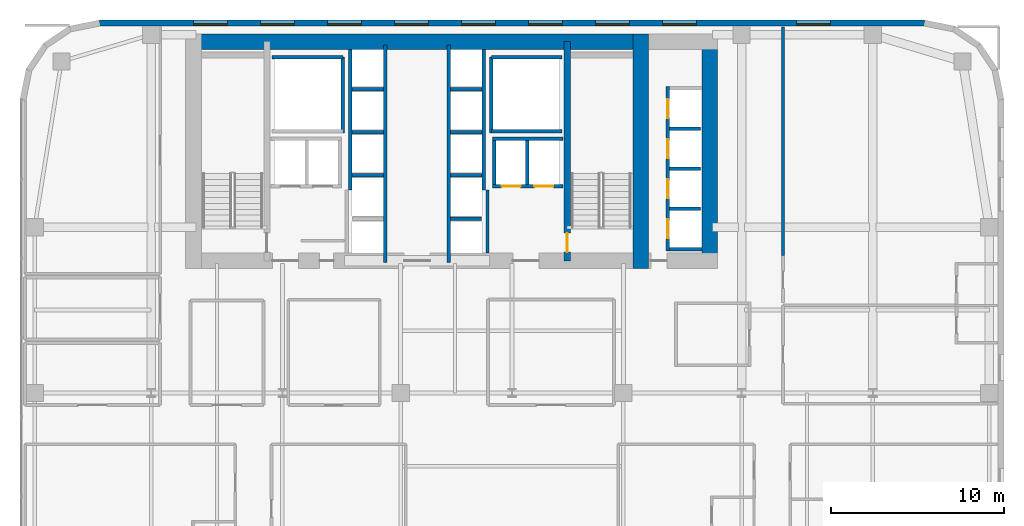
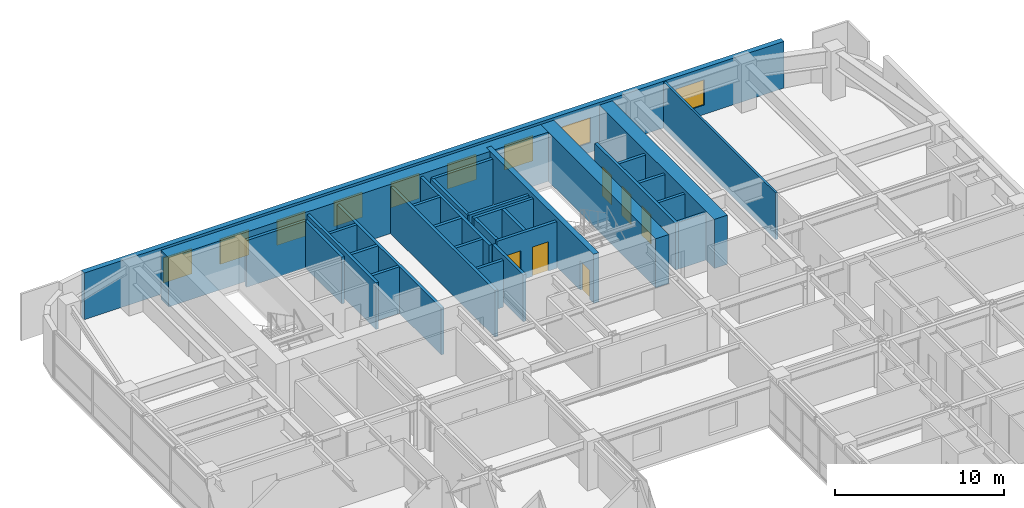
# One storey, part 28 of 30: 32 walls, 9 windows, 7 doors, 16 openings.
"""IFC4 building model written with IfcOpenShell, lengths in metres."""

from ifc_helpers import new_model, si_unit, direction, frame, frame_2d, origin, place, context, subcontext, project, spatial, rectangle, extrude, source, transform, mapped, material, layer, layer_set, type_object, type_shapes, element, fill, save


model = new_model("IFC4")

# Units and contexts
model_context = context("Model", 3, precision=1e-05, world=origin(), true_north=direction((0.0, 1.0)))
body_context = subcontext(model_context, "Body", "Model", "MODEL_VIEW")
ifc_project = project(units=[si_unit("LENGTHUNIT", "METRE"), si_unit("AREAUNIT", "SQUARE_METRE"), si_unit("VOLUMEUNIT", "CUBIC_METRE"), si_unit("PLANEANGLEUNIT", "RADIAN"), si_unit("MASSUNIT", "GRAM", prefix="KILO")], contexts=[model_context])

# Site, building, storey
site_placement = place(None, origin())
site = spatial("IfcSite", under=ifc_project, at=site_placement, CompositionType="ELEMENT")
building_placement = place(site_placement, origin())
building = spatial("IfcBuilding", under=site, at=building_placement, Name="Tolvann Quenvar Hotel", CompositionType="ELEMENT")
storey_placement = place(building_placement, frame((0.0, 0.0, 56.85009765625)))
storey = spatial("IfcBuildingStorey", under=building, at=storey_placement, Name="L13", CompositionType="ELEMENT", Elevation=56.85009765625)

# Walls
ifc_material_1 = material(Name="Concrete S80 (80 MPa)", Category="concrete")
ifc_layer_1 = layer(ifc_material_1, 0.89990234375)
ifc_layer_set_1 = layer_set([ifc_layer_1], Name="Concrete S80 (80 MPa)")
wall_type_1 = type_object("IfcWallType", Name="WALL_CORE_900", PredefinedType="SHEAR", material=ifc_layer_set_1)
wall_1_placement = place(storey_placement, frame((9.60009765625, 44.75, 0.0), z_axis=(0.0, 0.0, 1.0), x_axis=(1.0, 0.0, 0.0)))
element("IfcWall", 1, at=wall_1_placement, inside=storey, type_object=wall_type_1, Name="Rear Core N Shear Wall (L13)", PredefinedType="SHEAR", context=body_context, shape_type="SweptSolid", body=[
    extrude(rectangle(XDim=26.7998046875, YDim=0.89990234375, at=frame_2d((13.39990234375, 0.0))), origin(), (0.0, 0.0, 1.0), 3.5498046875),
])
for number, where, z_axis, x_axis, name in (
    (2, (35.949951171875, 31.60009765625, 0.0), (0.0, 0.0, 1.0), (0.0, 1.0, 0.0), "Rear Core E Shear Wall (L13)"),
    (3, (39.949951171875, 31.60009765625, 0.0), (0.0, 0.0, 1.0), (0.0, 1.0, 0.0), "Core East Annex Shear Wall ANN-E (L13)"),
):
    element("IfcWall", number, at=place(storey_placement, frame(where, z_axis=z_axis, x_axis=x_axis)), inside=storey, type_object=wall_type_1, Name=name, PredefinedType="SHEAR", context=body_context, shape_type="SweptSolid", body=[
        extrude(rectangle(XDim=13.599853515625, YDim=0.89990234375, at=frame_2d((6.7998046875, 0.0))), origin(), (0.0, 0.0, 1.0), 3.5498046875),
    ])

# Wall, opening, door
ifc_material_2 = material(Name="Concrete S65 (65 MPa)", Category="concrete")
ifc_layer_2 = layer(ifc_material_2, 0.35009765625)
ifc_layer_set_2 = layer_set([ifc_layer_2], Name="Concrete S65 (65 MPa)")
wall_type_2 = type_object("IfcWallType", Name="WALL_CORE_INT_350", PredefinedType="SHEAR", material=ifc_layer_set_2)
wall_2_placement = place(storey_placement, frame((31.699951171875, 32.050048828125, 0.0), z_axis=(0.0, 0.0, 1.0), x_axis=(0.0, 1.0, 0.0)))
wall_2 = element("IfcWall", 4, at=wall_2_placement, inside=storey, type_object=wall_type_2, Name="Core Internal Web Shear Wall WEB-E (L13)", PredefinedType="SHEAR", context=body_context, shape_type="SweptSolid", body=[
    extrude(rectangle(XDim=12.699951171875, YDim=0.35009765625, at=frame_2d((6.35009765625, 0.0))), origin(), (0.0, 0.0, 1.0), 3.5498046875),
])
opening_1_placement = place(wall_2_placement, frame((1.60009765625, 0.0, 0.0), z_axis=(0.0, 0.0, 1.0), x_axis=(-1.0, 0.0, 0.0)))
opening_1 = element("IfcOpeningElement", 5, at=opening_1_placement, cuts=wall_2, Name="Opening FD-120", PredefinedType="OPENING", context=body_context, shape_type="SweptSolid", body=[
    extrude(rectangle(XDim=1.10009765625, YDim=2.1201171875, at=frame_2d((0.550048828125, 1.06005859375))), frame((0.0, 0.18505859375, 0.0), z_axis=(0.0, -1.0, 0.0), x_axis=(1.0, 0.0, 0.0)), (0.0, 0.0, 1.0), 0.3701171875),
])
ifc_material_3 = material(Name="Pressed galvanised steel fire-rated door set", Category="steel")
door_type_1 = type_object("IfcDoorType", Name="DOOR_FIRE_STAIR_1100", OperationType="NOTDEFINED", PredefinedType="DOOR", material=ifc_material_3)
shared_shape_1 = source(origin(), body_context, "Body", "SweptSolid", [
    extrude(rectangle(XDim=1.10009765625, YDim=2.1201171875, at=frame_2d((0.550048828125, 1.06005859375))), frame((0.0, 0.02490234375, 0.0), z_axis=(0.0, -1.0, 0.0), x_axis=(1.0, 0.0, 0.0)), (0.0, 0.0, 1.0), 0.050048828125),
])
type_shapes(door_type_1, [shared_shape_1])
door_1_placement = place(opening_1_placement, origin())
door_1 = element("IfcDoor", 6, at=door_1_placement, inside=storey, type_object=door_type_1, Name="Exit Stair ST-C2 Fire Door (L13)", OperationType="SINGLE_SWING_RIGHT", OverallHeight=2.1201171875, OverallWidth=1.10009765625, PredefinedType="DOOR", context=body_context, shape_type="MappedRepresentation", body=[
    mapped(shared_shape_1, transform((0.0, 0.0, 0.0), x_axis=(1.0, 0.0, 0.0), y_axis=(0.0, 1.0, 0.0), z_axis=(0.0, 0.0, 1.0), scale=1.0)),
])
fill(opening_1, door_1)

# Wall, openings, windows
ifc_material_4 = material(Name="Kiln-fired red and buff architectural clay brickwork and terracotta masonry", Category="masonry")
ifc_layer_3 = layer(ifc_material_4, 0.35009765625)
ifc_layer_set_3 = layer_set([ifc_layer_3], Name="Kiln-fired red and buff architectural clay brickwork and terracotta masonry")
wall_type_3 = type_object("IfcWallType", Name="WALL_EXT_BRICK_350", PredefinedType="SOLIDWALL", material=ifc_layer_set_3)
wall_3_placement = place(storey_placement, frame((52.3828125, 45.824951171875, 0.0), z_axis=(0.0, 0.0, 1.0), x_axis=(-1.0, 0.0, 0.0)))
wall_3 = element("IfcWall", 7, at=wall_3_placement, inside=storey, type_object=wall_type_3, Name="Exterior Chicago Brick Wall L13-E18", PredefinedType="SOLIDWALL", context=body_context, shape_type="SweptSolid", body=[
    extrude(rectangle(XDim=47.765625, YDim=0.35009765625, at=frame_2d((23.8828125, 0.0))), origin(), (0.0, 0.0, 1.0), 3.369873046875),
])
opening_2_placement = place(wall_3_placement, frame((5.446044921875, 0.0, 0.679931640625)))
opening_2 = element("IfcOpeningElement", 8, at=opening_2_placement, cuts=wall_3, Name="Opening W-10", PredefinedType="OPENING", context=body_context, shape_type="SweptSolid", body=[
    extrude(rectangle(XDim=1.949951171875, YDim=1.820068359375, at=frame_2d((0.97509765625, 0.91015625))), frame((0.0, 0.18505859375, 0.0), z_axis=(0.0, -1.0, 0.0), x_axis=(1.0, 0.0, 0.0)), (0.0, 0.0, 1.0), 0.3701171875),
])
opening_3_placement = place(wall_3_placement, frame((13.20703125, 0.0, 0.679931640625)))
opening_3 = element("IfcOpeningElement", 9, at=opening_3_placement, cuts=wall_3, Name="Opening W-10", PredefinedType="OPENING", context=body_context, shape_type="SweptSolid", body=[
    extrude(rectangle(XDim=1.949951171875, YDim=1.820068359375, at=frame_2d((0.97509765625, 0.91015625))), frame((0.0, 0.18505859375, 0.0), z_axis=(0.0, -1.0, 0.0), x_axis=(1.0, 0.0, 0.0)), (0.0, 0.0, 1.0), 0.3701171875),
])
opening_4_placement = place(wall_3_placement, frame((17.0869140625, 0.0, 0.679931640625)))
opening_4 = element("IfcOpeningElement", 10, at=opening_4_placement, cuts=wall_3, Name="Opening W-10", PredefinedType="OPENING", context=body_context, shape_type="SweptSolid", body=[
    extrude(rectangle(XDim=1.949951171875, YDim=1.820068359375, at=frame_2d((0.97509765625, 0.91015625))), frame((0.0, 0.18505859375, 0.0), z_axis=(0.0, -1.0, 0.0), x_axis=(1.0, 0.0, 0.0)), (0.0, 0.0, 1.0), 0.3701171875),
])
opening_5_placement = place(wall_3_placement, frame((20.968017578125, 0.0, 0.679931640625)))
opening_5 = element("IfcOpeningElement", 11, at=opening_5_placement, cuts=wall_3, Name="Opening W-10", PredefinedType="OPENING", context=body_context, shape_type="SweptSolid", body=[
    extrude(rectangle(XDim=1.949951171875, YDim=1.820068359375, at=frame_2d((0.97509765625, 0.91015625))), frame((0.0, 0.18505859375, 0.0), z_axis=(0.0, -1.0, 0.0), x_axis=(1.0, 0.0, 0.0)), (0.0, 0.0, 1.0), 0.3701171875),
])
opening_6_placement = place(wall_3_placement, frame((24.847900390625, 0.0, 0.679931640625)))
opening_6 = element("IfcOpeningElement", 12, at=opening_6_placement, cuts=wall_3, Name="Opening W-10", PredefinedType="OPENING", context=body_context, shape_type="SweptSolid", body=[
    extrude(rectangle(XDim=1.949951171875, YDim=1.820068359375, at=frame_2d((0.97509765625, 0.91015625))), frame((0.0, 0.18505859375, 0.0), z_axis=(0.0, -1.0, 0.0), x_axis=(1.0, 0.0, 0.0)), (0.0, 0.0, 1.0), 0.3701171875),
])
opening_7_placement = place(wall_3_placement, frame((28.72900390625, 0.0, 0.679931640625)))
opening_7 = element("IfcOpeningElement", 13, at=opening_7_placement, cuts=wall_3, Name="Opening W-10", PredefinedType="OPENING", context=body_context, shape_type="SweptSolid", body=[
    extrude(rectangle(XDim=1.949951171875, YDim=1.820068359375, at=frame_2d((0.97509765625, 0.91015625))), frame((0.0, 0.18505859375, 0.0), z_axis=(0.0, -1.0, 0.0), x_axis=(1.0, 0.0, 0.0)), (0.0, 0.0, 1.0), 0.3701171875),
])
opening_8_placement = place(wall_3_placement, frame((32.60888671875, 0.0, 0.679931640625)))
opening_8 = element("IfcOpeningElement", 14, at=opening_8_placement, cuts=wall_3, Name="Opening W-10", PredefinedType="OPENING", context=body_context, shape_type="SweptSolid", body=[
    extrude(rectangle(XDim=1.949951171875, YDim=1.820068359375, at=frame_2d((0.97509765625, 0.91015625))), frame((0.0, 0.18505859375, 0.0), z_axis=(0.0, -1.0, 0.0), x_axis=(1.0, 0.0, 0.0)), (0.0, 0.0, 1.0), 0.3701171875),
])
opening_9_placement = place(wall_3_placement, frame((36.489013671875, 0.0, 0.679931640625)))
opening_9 = element("IfcOpeningElement", 15, at=opening_9_placement, cuts=wall_3, Name="Opening W-10", PredefinedType="OPENING", context=body_context, shape_type="SweptSolid", body=[
    extrude(rectangle(XDim=1.949951171875, YDim=1.820068359375, at=frame_2d((0.97509765625, 0.91015625))), frame((0.0, 0.18505859375, 0.0), z_axis=(0.0, -1.0, 0.0), x_axis=(1.0, 0.0, 0.0)), (0.0, 0.0, 1.0), 0.3701171875),
])
opening_10_placement = place(wall_3_placement, frame((40.3701171875, 0.0, 0.679931640625)))
opening_10 = element("IfcOpeningElement", 16, at=opening_10_placement, cuts=wall_3, Name="Opening W-10", PredefinedType="OPENING", context=body_context, shape_type="SweptSolid", body=[
    extrude(rectangle(XDim=1.949951171875, YDim=1.820068359375, at=frame_2d((0.97509765625, 0.91015625))), frame((0.0, 0.18505859375, 0.0), z_axis=(0.0, -1.0, 0.0), x_axis=(1.0, 0.0, 0.0)), (0.0, 0.0, 1.0), 0.3701171875),
])
ifc_material_5 = material(Name="Thermally broken bronze-anodised aluminium frame with double low-E glazing", Category="aluminium")
window_type = type_object("IfcWindowType", Name="WIN_CLB_1950x1850", PartitioningType="DOUBLE_PANEL_VERTICAL", PredefinedType="WINDOW", material=ifc_material_5)
shared_shape_2 = source(origin(), body_context, "Body", "SweptSolid", [
    extrude(rectangle(XDim=1.949951171875, YDim=1.820068359375, at=frame_2d((0.97509765625, 0.91015625))), frame((0.0, 0.090087890625, 0.0), z_axis=(0.0, -1.0, 0.0), x_axis=(1.0, 0.0, 0.0)), (0.0, 0.0, 1.0), 0.06005859375),
])
type_shapes(window_type, [shared_shape_2])
window_1_placement = place(opening_2_placement, origin())
window_1 = element("IfcWindow", 17, at=window_1_placement, inside=storey, type_object=window_type, Name="Chicago Window W-10 (EW-L13-E18-W01)", OverallHeight=1.820068359375, OverallWidth=1.949951171875, PartitioningType="DOUBLE_PANEL_VERTICAL", PredefinedType="WINDOW", context=body_context, shape_type="MappedRepresentation", body=[
    mapped(shared_shape_2, transform((0.0, 0.0, 0.0), x_axis=(1.0, 0.0, 0.0), y_axis=(0.0, 1.0, 0.0), z_axis=(0.0, 0.0, 1.0), scale=1.0)),
])
fill(opening_2, window_1)
window_2_placement = place(opening_3_placement, origin())
window_2 = element("IfcWindow", 18, at=window_2_placement, inside=storey, type_object=window_type, Name="Chicago Window W-10 (EW-L13-E18-W02)", OverallHeight=1.820068359375, OverallWidth=1.949951171875, PartitioningType="DOUBLE_PANEL_VERTICAL", PredefinedType="WINDOW", context=body_context, shape_type="MappedRepresentation", body=[
    mapped(shared_shape_2, transform((0.0, 0.0, 0.0), x_axis=(1.0, 0.0, 0.0), y_axis=(0.0, 1.0, 0.0), z_axis=(0.0, 0.0, 1.0), scale=1.0)),
])
fill(opening_3, window_2)
window_3_placement = place(opening_4_placement, origin())
window_3 = element("IfcWindow", 19, at=window_3_placement, inside=storey, type_object=window_type, Name="Chicago Window W-10 (EW-L13-E18-W03)", OverallHeight=1.820068359375, OverallWidth=1.949951171875, PartitioningType="DOUBLE_PANEL_VERTICAL", PredefinedType="WINDOW", context=body_context, shape_type="MappedRepresentation", body=[
    mapped(shared_shape_2, transform((0.0, 0.0, 0.0), x_axis=(1.0, 0.0, 0.0), y_axis=(0.0, 1.0, 0.0), z_axis=(0.0, 0.0, 1.0), scale=1.0)),
])
fill(opening_4, window_3)
window_4_placement = place(opening_5_placement, origin())
window_4 = element("IfcWindow", 20, at=window_4_placement, inside=storey, type_object=window_type, Name="Chicago Window W-10 (EW-L13-E18-W04)", OverallHeight=1.820068359375, OverallWidth=1.949951171875, PartitioningType="DOUBLE_PANEL_VERTICAL", PredefinedType="WINDOW", context=body_context, shape_type="MappedRepresentation", body=[
    mapped(shared_shape_2, transform((0.0, 0.0, 0.0), x_axis=(1.0, 0.0, 0.0), y_axis=(0.0, 1.0, 0.0), z_axis=(0.0, 0.0, 1.0), scale=1.0)),
])
fill(opening_5, window_4)
window_5_placement = place(opening_6_placement, origin())
window_5 = element("IfcWindow", 21, at=window_5_placement, inside=storey, type_object=window_type, Name="Chicago Window W-10 (EW-L13-E18-W05)", OverallHeight=1.820068359375, OverallWidth=1.949951171875, PartitioningType="DOUBLE_PANEL_VERTICAL", PredefinedType="WINDOW", context=body_context, shape_type="MappedRepresentation", body=[
    mapped(shared_shape_2, transform((0.0, 0.0, 0.0), x_axis=(1.0, 0.0, 0.0), y_axis=(0.0, 1.0, 0.0), z_axis=(0.0, 0.0, 1.0), scale=1.0)),
])
fill(opening_6, window_5)
window_6_placement = place(opening_7_placement, origin())
window_6 = element("IfcWindow", 22, at=window_6_placement, inside=storey, type_object=window_type, Name="Chicago Window W-10 (EW-L13-E18-W06)", OverallHeight=1.820068359375, OverallWidth=1.949951171875, PartitioningType="DOUBLE_PANEL_VERTICAL", PredefinedType="WINDOW", context=body_context, shape_type="MappedRepresentation", body=[
    mapped(shared_shape_2, transform((0.0, 0.0, 0.0), x_axis=(1.0, 0.0, 0.0), y_axis=(0.0, 1.0, 0.0), z_axis=(0.0, 0.0, 1.0), scale=1.0)),
])
fill(opening_7, window_6)
window_7_placement = place(opening_8_placement, origin())
window_7 = element("IfcWindow", 23, at=window_7_placement, inside=storey, type_object=window_type, Name="Chicago Window W-10 (EW-L13-E18-W07)", OverallHeight=1.820068359375, OverallWidth=1.949951171875, PartitioningType="DOUBLE_PANEL_VERTICAL", PredefinedType="WINDOW", context=body_context, shape_type="MappedRepresentation", body=[
    mapped(shared_shape_2, transform((0.0, 0.0, 0.0), x_axis=(1.0, 0.0, 0.0), y_axis=(0.0, 1.0, 0.0), z_axis=(0.0, 0.0, 1.0), scale=1.0)),
])
fill(opening_8, window_7)
window_8_placement = place(opening_9_placement, origin())
window_8 = element("IfcWindow", 24, at=window_8_placement, inside=storey, type_object=window_type, Name="Chicago Window W-10 (EW-L13-E18-W08)", OverallHeight=1.820068359375, OverallWidth=1.949951171875, PartitioningType="DOUBLE_PANEL_VERTICAL", PredefinedType="WINDOW", context=body_context, shape_type="MappedRepresentation", body=[
    mapped(shared_shape_2, transform((0.0, 0.0, 0.0), x_axis=(1.0, 0.0, 0.0), y_axis=(0.0, 1.0, 0.0), z_axis=(0.0, 0.0, 1.0), scale=1.0)),
])
fill(opening_9, window_8)
window_9_placement = place(opening_10_placement, origin())
window_9 = element("IfcWindow", 25, at=window_9_placement, inside=storey, type_object=window_type, Name="Chicago Window W-10 (EW-L13-E18-W09)", OverallHeight=1.820068359375, OverallWidth=1.949951171875, PartitioningType="DOUBLE_PANEL_VERTICAL", PredefinedType="WINDOW", context=body_context, shape_type="MappedRepresentation", body=[
    mapped(shared_shape_2, transform((0.0, 0.0, 0.0), x_axis=(1.0, 0.0, 0.0), y_axis=(0.0, 1.0, 0.0), z_axis=(0.0, 0.0, 1.0), scale=1.0)),
])
fill(opening_10, window_9)

# Walls
ifc_material_6 = material(Name="Acoustic twin-stud fire-rated gypsum plasterboard partition")
ifc_layer_4 = layer(ifc_material_6, 0.14990234375)
ifc_layer_set_4 = layer_set([ifc_layer_4], Name="Acoustic twin-stud fire-rated gypsum plasterboard partition")
wall_type_4 = type_object("IfcWallType", Name="WALL_PART_SUITE_150", PredefinedType="PARTITIONING", material=ifc_layer_set_4)
wall_4_placement = place(storey_placement, frame((44.199951171875, 32.3701171875, 0.0), z_axis=(0.0, 0.0, 1.0), x_axis=(0.0, 1.0, 0.0)))
element("IfcWall", 26, at=wall_4_placement, inside=storey, type_object=wall_type_4, Name="Interior Partition PT-SPC-L13-RM-NE02-E6", PredefinedType="PARTITIONING", context=body_context, shape_type="SweptSolid", body=[
    extrude(rectangle(XDim=13.224853515625, YDim=0.14990234375, at=frame_2d((6.6123046875, 0.0))), origin(), (0.0, 0.0, 1.0), 3.369873046875),
])
ifc_material_7 = material(Name="Concrete N40 (40 MPa)", Category="concrete")
ifc_layer_5 = layer(ifc_material_7, 0.199951171875)
ifc_layer_set_5 = layer_set([ifc_layer_5], Name="Concrete N40 (40 MPa)")
wall_type_5 = type_object("IfcWallType", Name="WALL_SHAFT_200", PredefinedType="SOLIDWALL", material=ifc_layer_set_5)
wall_5_placement = place(storey_placement, frame((18.699951171875, 39.449951171875, 0.0), z_axis=(0.0, 0.0, 1.0), x_axis=(0.0, 1.0, 0.0)))
element("IfcWall", 27, at=wall_5_placement, inside=storey, type_object=wall_type_5, Name="Service Riser W Shaft Wall IN (L13)", PredefinedType="SOLIDWALL", context=body_context, shape_type="SweptSolid", body=[
    extrude(rectangle(XDim=4.400146484375, YDim=0.199951171875, at=frame_2d((2.2001953125, 0.0))), origin(), (0.0, 0.0, 1.0), 3.369873046875),
])
wall_6_placement = place(storey_placement, frame((14.60009765625, 43.85009765625, 0.0), z_axis=(0.0, 0.0, 1.0), x_axis=(1.0, 0.0, 0.0)))
element("IfcWall", 28, at=wall_6_placement, inside=storey, type_object=wall_type_5, Name="Service Riser W Shaft Wall N (L13)", PredefinedType="SOLIDWALL", context=body_context, shape_type="SweptSolid", body=[
    extrude(rectangle(XDim=4.099853515625, YDim=0.199951171875, at=frame_2d((2.0498046875, 0.0))), origin(), (0.0, 0.0, 1.0), 3.369873046875),
])
wall_7_placement = place(storey_placement, frame((27.300048828125, 39.449951171875, 0.0), z_axis=(0.0, 0.0, 1.0), x_axis=(0.0, 1.0, 0.0)))
element("IfcWall", 29, at=wall_7_placement, inside=storey, type_object=wall_type_5, Name="Service Riser E Shaft Wall IN (L13)", PredefinedType="SOLIDWALL", context=body_context, shape_type="SweptSolid", body=[
    extrude(rectangle(XDim=4.400146484375, YDim=0.199951171875, at=frame_2d((2.2001953125, 0.0))), origin(), (0.0, 0.0, 1.0), 3.369873046875),
])
for number, where, z_axis, x_axis, name in (
    (30, (27.300048828125, 39.550048828125, 0.0), (0.0, 0.0, 1.0), (1.0, 0.0, 0.0), "Service Riser E Shaft Wall S (L13)"),
    (31, (27.300048828125, 43.85009765625, 0.0), (0.0, 0.0, 1.0), (1.0, 0.0, 0.0), "Service Riser E Shaft Wall N (L13)"),
):
    element("IfcWall", number, at=place(storey_placement, frame(where, z_axis=z_axis, x_axis=x_axis)), inside=storey, type_object=wall_type_5, Name=name, PredefinedType="SOLIDWALL", context=body_context, shape_type="SweptSolid", body=[
        extrude(rectangle(XDim=4.099853515625, YDim=0.199951171875, at=frame_2d((2.0498046875, 0.0))), origin(), (0.0, 0.0, 1.0), 3.369873046875),
    ])
wall_8_placement = place(storey_placement, frame((27.080078125, 32.50390625, 0.0), z_axis=(0.0, 0.0, 1.0), x_axis=(0.0, 1.0, 0.0)))
element("IfcWall", 32, at=wall_8_placement, inside=storey, type_object=wall_type_5, Name="Firefighting Lobby E Inner Fire Wall (L13)", PredefinedType="SOLIDWALL", context=body_context, shape_type="SweptSolid", body=[
    extrude(rectangle(XDim=3.64599609375, YDim=0.199951171875, at=frame_2d((1.822998046875, 0.0))), origin(), (0.0, 0.0, 1.0), 3.369873046875),
])
wall_9_placement = place(storey_placement, frame((21.169921875, 31.9599609375, 0.0), z_axis=(0.0, 0.0, 1.0), x_axis=(0.0, 1.0, 0.0)))
element("IfcWall", 33, at=wall_9_placement, inside=storey, type_object=wall_type_5, Name="Lift Bank E21.1C1 Hoistway Front Wall (L13)", PredefinedType="SOLIDWALL", context=body_context, shape_type="SweptSolid", body=[
    extrude(rectangle(XDim=12.580078125, YDim=0.199951171875, at=frame_2d((6.2900390625, 0.0))), origin(), (0.0, 0.0, 1.0), 3.369873046875),
])
wall_10_placement = place(storey_placement, frame((19.1298828125, 36.159912109375, 0.0), z_axis=(0.0, 0.0, 1.0), x_axis=(0.0, 1.0, 0.0)))
element("IfcWall", 34, at=wall_10_placement, inside=storey, type_object=wall_type_5, Name="Lift Bank E21.1C1 Hoistway Rear Wall (L13)", PredefinedType="SOLIDWALL", context=body_context, shape_type="SweptSolid", body=[
    extrude(rectangle(XDim=8.135986328125, YDim=0.199951171875, at=frame_2d((4.06787109375, 0.0))), origin(), (0.0, 0.0, 1.0), 3.369873046875),
])
for number, where, z_axis, x_axis, name in (
    (35, (19.22998046875, 37.0, 0.0), (0.0, 0.0, 1.0), (1.0, 0.0, 0.0), "Lift Bank E21.1C1 Divider Wall 2 (L13)"),
    (36, (19.22998046875, 39.5, 0.0), (0.0, 0.0, 1.0), (1.0, 0.0, 0.0), "Lift Bank E21.1C1 Divider Wall 3 (L13)"),
    (37, (19.22998046875, 42.0, 0.0), (0.0, 0.0, 1.0), (1.0, 0.0, 0.0), "Lift Bank E21.1C1 Divider Wall 4 (L13)"),
):
    element("IfcWall", number, at=place(storey_placement, frame(where, z_axis=z_axis, x_axis=x_axis)), inside=storey, type_object=wall_type_5, Name=name, PredefinedType="SOLIDWALL", context=body_context, shape_type="SweptSolid", body=[
        extrude(rectangle(XDim=1.840087890625, YDim=0.199951171875, at=frame_2d((0.919921875, 0.0))), origin(), (0.0, 0.0, 1.0), 3.369873046875),
    ])

# Wall, openings, doors
wall_11_placement = place(storey_placement, frame((27.375, 36.3798828125, 0.0), z_axis=(0.0, 0.0, 1.0), x_axis=(1.0, 0.0, 0.0)))
wall_11 = element("IfcWall", 38, at=wall_11_placement, inside=storey, type_object=wall_type_5, Name="Lift Bank SEC1 Hoistway Front Wall (L13)", PredefinedType="SOLIDWALL", context=body_context, shape_type="SweptSolid", body=[
    extrude(rectangle(XDim=4.074951171875, YDim=0.199951171875, at=frame_2d((2.03759765625, 0.0))), origin(), (0.0, 0.0, 1.0), 3.369873046875),
])
opening_11_placement = place(wall_11_placement, frame((0.52490234375, 0.0, 0.0)))
opening_11 = element("IfcOpeningElement", 39, at=opening_11_placement, cuts=wall_11, Name="Opening LD-01", PredefinedType="OPENING", context=body_context, shape_type="SweptSolid", body=[
    extrude(rectangle(XDim=1.10009765625, YDim=2.1201171875, at=frame_2d((0.550048828125, 1.06005859375))), frame((0.0, 0.10986328125, 0.0), z_axis=(0.0, -1.0, 0.0), x_axis=(1.0, 0.0, 0.0)), (0.0, 0.0, 1.0), 0.219970703125),
])
opening_12_placement = place(wall_11_placement, frame((2.425048828125, 0.0, 0.0)))
opening_12 = element("IfcOpeningElement", 40, at=opening_12_placement, cuts=wall_11, Name="Opening LD-01", PredefinedType="OPENING", context=body_context, shape_type="SweptSolid", body=[
    extrude(rectangle(XDim=1.10009765625, YDim=2.1201171875, at=frame_2d((0.550048828125, 1.06005859375))), frame((0.0, 0.10986328125, 0.0), z_axis=(0.0, -1.0, 0.0), x_axis=(1.0, 0.0, 0.0)), (0.0, 0.0, 1.0), 0.219970703125),
])
ifc_material_8 = material(Name="Brushed 316 stainless steel automatic sliding lift landing door", Category="steel")
door_type_2 = type_object("IfcDoorType", Name="DOOR_LIFT_SLIDE_1100", OperationType="NOTDEFINED", PredefinedType="DOOR", material=ifc_material_8)
shared_shape_3 = source(origin(), body_context, "Body", "SweptSolid", [
    extrude(rectangle(XDim=1.10009765625, YDim=2.1201171875, at=frame_2d((0.550048828125, 1.06005859375))), frame((0.0, 0.02490234375, 0.0), z_axis=(0.0, -1.0, 0.0), x_axis=(1.0, 0.0, 0.0)), (0.0, 0.0, 1.0), 0.050048828125),
])
type_shapes(door_type_2, [shared_shape_3])
door_2_placement = place(opening_11_placement, origin())
door_2 = element("IfcDoor", 41, at=door_2_placement, inside=storey, type_object=door_type_2, Name="Lift SV-2 Sliding Landing Door (L13)", OperationType="SLIDING_TO_LEFT", OverallHeight=2.1201171875, OverallWidth=1.10009765625, PredefinedType="DOOR", context=body_context, shape_type="MappedRepresentation", body=[
    mapped(shared_shape_3, transform((0.0, 0.0, 0.0), x_axis=(1.0, 0.0, 0.0), y_axis=(0.0, 1.0, 0.0), z_axis=(0.0, 0.0, 1.0), scale=1.0)),
])
fill(opening_11, door_2)
door_3_placement = place(opening_12_placement, origin())
door_3 = element("IfcDoor", 42, at=door_3_placement, inside=storey, type_object=door_type_2, Name="Lift FF-2 Sliding Landing Door (L13)", OperationType="SLIDING_TO_RIGHT", OverallHeight=2.1201171875, OverallWidth=1.10009765625, PredefinedType="DOOR", context=body_context, shape_type="MappedRepresentation", body=[
    mapped(shared_shape_3, transform((0.0, 0.0, 0.0), x_axis=(1.0, 0.0, 0.0), y_axis=(0.0, 1.0, 0.0), z_axis=(0.0, 0.0, 1.0), scale=1.0)),
])
fill(opening_12, door_3)

# Walls
wall_12_placement = place(storey_placement, frame((27.375, 39.1201171875, 0.0), z_axis=(0.0, 0.0, 1.0), x_axis=(1.0, 0.0, 0.0)))
element("IfcWall", 43, at=wall_12_placement, inside=storey, type_object=wall_type_5, Name="Lift Bank SEC1 Hoistway Rear Wall (L13)", PredefinedType="SOLIDWALL", context=body_context, shape_type="SweptSolid", body=[
    extrude(rectangle(XDim=4.074951171875, YDim=0.199951171875, at=frame_2d((2.03759765625, 0.0))), origin(), (0.0, 0.0, 1.0), 3.369873046875),
])
for number, where, z_axis, x_axis, name in (
    (44, (27.47509765625, 36.47998046875, 0.0), (0.0, 0.0, 1.0), (0.0, 1.0, 0.0), "Lift Bank SEC1 Hoistway Cheek Wall 1 (L13)"),
    (45, (29.387451171875, 36.47998046875, 0.0), (0.0, 0.0, 1.0), (0.0, 1.0, 0.0), "Lift Bank SEC1 Divider Wall 1 (L13)"),
):
    element("IfcWall", number, at=place(storey_placement, frame(where, z_axis=z_axis, x_axis=x_axis)), inside=storey, type_object=wall_type_5, Name=name, PredefinedType="SOLIDWALL", context=body_context, shape_type="SweptSolid", body=[
        extrude(rectangle(XDim=2.5400390625, YDim=0.199951171875, at=frame_2d((1.27001953125, 0.0))), origin(), (0.0, 0.0, 1.0), 3.369873046875),
    ])
wall_13_placement = place(storey_placement, frame((24.830078125, 31.9599609375, 0.0), z_axis=(0.0, 0.0, 1.0), x_axis=(0.0, 1.0, 0.0)))
element("IfcWall", 46, at=wall_13_placement, inside=storey, type_object=wall_type_5, Name="Lift Bank W24.9C1 Hoistway Front Wall (L13)", PredefinedType="SOLIDWALL", context=body_context, shape_type="SweptSolid", body=[
    extrude(rectangle(XDim=12.580078125, YDim=0.199951171875, at=frame_2d((6.2900390625, 0.0))), origin(), (0.0, 0.0, 1.0), 3.369873046875),
])
wall_14_placement = place(storey_placement, frame((26.8701171875, 36.159912109375, 0.0), z_axis=(0.0, 0.0, 1.0), x_axis=(0.0, 1.0, 0.0)))
element("IfcWall", 47, at=wall_14_placement, inside=storey, type_object=wall_type_5, Name="Lift Bank W24.9C1 Hoistway Rear Wall (L13)", PredefinedType="SOLIDWALL", context=body_context, shape_type="SweptSolid", body=[
    extrude(rectangle(XDim=8.135986328125, YDim=0.199951171875, at=frame_2d((4.06787109375, 0.0))), origin(), (0.0, 0.0, 1.0), 3.369873046875),
])
wall_15_placement = place(storey_placement, frame((24.929931640625, 34.5, 0.0), z_axis=(0.0, 0.0, 1.0), x_axis=(1.0, 0.0, 0.0)))
element("IfcWall", 48, at=wall_15_placement, inside=storey, type_object=wall_type_5, Name="Lift Bank W24.9C1 Divider Wall 1 (L13)", PredefinedType="SOLIDWALL", context=body_context, shape_type="SweptSolid", body=[
    extrude(rectangle(XDim=1.800048828125, YDim=0.199951171875, at=frame_2d((0.89990234375, 0.0))), origin(), (0.0, 0.0, 1.0), 3.369873046875),
])
for number, where, z_axis, x_axis, name in (
    (49, (24.929931640625, 37.0, 0.0), (0.0, 0.0, 1.0), (1.0, 0.0, 0.0), "Lift Bank W24.9C1 Divider Wall 2 (L13)"),
    (50, (24.929931640625, 39.5, 0.0), (0.0, 0.0, 1.0), (1.0, 0.0, 0.0), "Lift Bank W24.9C1 Divider Wall 3 (L13)"),
    (51, (24.929931640625, 42.0, 0.0), (0.0, 0.0, 1.0), (1.0, 0.0, 0.0), "Lift Bank W24.9C1 Divider Wall 4 (L13)"),
):
    element("IfcWall", number, at=place(storey_placement, frame(where, z_axis=z_axis, x_axis=x_axis)), inside=storey, type_object=wall_type_5, Name=name, PredefinedType="SOLIDWALL", context=body_context, shape_type="SweptSolid", body=[
        extrude(rectangle(XDim=1.840087890625, YDim=0.199951171875, at=frame_2d((0.919921875, 0.0))), origin(), (0.0, 0.0, 1.0), 3.369873046875),
    ])

# Wall, openings, doors
wall_16_placement = place(storey_placement, frame((37.530029296875, 32.610107421875, 0.0), z_axis=(0.0, 0.0, 1.0), x_axis=(0.0, 1.0, 0.0)))
wall_16 = element("IfcWall", 52, at=wall_16_placement, inside=storey, type_object=wall_type_5, Name="Lift Bank W37.6C1 Hoistway Front Wall (L13)", PredefinedType="SOLIDWALL", context=body_context, shape_type="SweptSolid", body=[
    extrude(rectangle(XDim=9.539794921875, YDim=0.199951171875, at=frame_2d((4.77001953125, 0.0))), origin(), (0.0, 0.0, 1.0), 3.369873046875),
])
opening_13_placement = place(wall_16_placement, frame((0.739990234375, 0.0, 0.0)))
opening_13 = element("IfcOpeningElement", 53, at=opening_13_placement, cuts=wall_16, Name="Opening LD-01", PredefinedType="OPENING", context=body_context, shape_type="SweptSolid", body=[
    extrude(rectangle(XDim=1.10009765625, YDim=2.1201171875, at=frame_2d((0.550048828125, 1.06005859375))), frame((0.0, 0.10986328125, 0.0), z_axis=(0.0, -1.0, 0.0), x_axis=(1.0, 0.0, 0.0)), (0.0, 0.0, 1.0), 0.219970703125),
])
opening_14_placement = place(wall_16_placement, frame((3.06005859375, 0.0, 0.0)))
opening_14 = element("IfcOpeningElement", 54, at=opening_14_placement, cuts=wall_16, Name="Opening LD-01", PredefinedType="OPENING", context=body_context, shape_type="SweptSolid", body=[
    extrude(rectangle(XDim=1.10009765625, YDim=2.1201171875, at=frame_2d((0.550048828125, 1.06005859375))), frame((0.0, 0.10986328125, 0.0), z_axis=(0.0, -1.0, 0.0), x_axis=(1.0, 0.0, 0.0)), (0.0, 0.0, 1.0), 0.219970703125),
])
opening_15_placement = place(wall_16_placement, frame((5.3798828125, 0.0, 0.0)))
opening_15 = element("IfcOpeningElement", 55, at=opening_15_placement, cuts=wall_16, Name="Opening LD-01", PredefinedType="OPENING", context=body_context, shape_type="SweptSolid", body=[
    extrude(rectangle(XDim=1.10009765625, YDim=2.1201171875, at=frame_2d((0.550048828125, 1.06005859375))), frame((0.0, 0.10986328125, 0.0), z_axis=(0.0, -1.0, 0.0), x_axis=(1.0, 0.0, 0.0)), (0.0, 0.0, 1.0), 0.219970703125),
])
opening_16_placement = place(wall_16_placement, frame((7.699951171875, 0.0, 0.0)))
opening_16 = element("IfcOpeningElement", 56, at=opening_16_placement, cuts=wall_16, Name="Opening LD-01", PredefinedType="OPENING", context=body_context, shape_type="SweptSolid", body=[
    extrude(rectangle(XDim=1.10009765625, YDim=2.1201171875, at=frame_2d((0.550048828125, 1.06005859375))), frame((0.0, 0.10986328125, 0.0), z_axis=(0.0, -1.0, 0.0), x_axis=(1.0, 0.0, 0.0)), (0.0, 0.0, 1.0), 0.219970703125),
])
door_4_placement = place(opening_13_placement, origin())
door_4 = element("IfcDoor", 57, at=door_4_placement, inside=storey, type_object=door_type_2, Name="Lift PL-1 Sliding Landing Door (L13)", OperationType="SLIDING_TO_LEFT", OverallHeight=2.1201171875, OverallWidth=1.10009765625, PredefinedType="DOOR", context=body_context, shape_type="MappedRepresentation", body=[
    mapped(shared_shape_3, transform((0.0, 0.0, 0.0), x_axis=(1.0, 0.0, 0.0), y_axis=(0.0, 1.0, 0.0), z_axis=(0.0, 0.0, 1.0), scale=1.0)),
])
fill(opening_13, door_4)
door_5_placement = place(opening_14_placement, origin())
door_5 = element("IfcDoor", 58, at=door_5_placement, inside=storey, type_object=door_type_2, Name="Lift PL-2 Sliding Landing Door (L13)", OperationType="SLIDING_TO_RIGHT", OverallHeight=2.1201171875, OverallWidth=1.10009765625, PredefinedType="DOOR", context=body_context, shape_type="MappedRepresentation", body=[
    mapped(shared_shape_3, transform((0.0, 0.0, 0.0), x_axis=(1.0, 0.0, 0.0), y_axis=(0.0, 1.0, 0.0), z_axis=(0.0, 0.0, 1.0), scale=1.0)),
])
fill(opening_14, door_5)
door_6_placement = place(opening_15_placement, origin())
door_6 = element("IfcDoor", 59, at=door_6_placement, inside=storey, type_object=door_type_2, Name="Lift PL-3 Sliding Landing Door (L13)", OperationType="SLIDING_TO_LEFT", OverallHeight=2.1201171875, OverallWidth=1.10009765625, PredefinedType="DOOR", context=body_context, shape_type="MappedRepresentation", body=[
    mapped(shared_shape_3, transform((0.0, 0.0, 0.0), x_axis=(1.0, 0.0, 0.0), y_axis=(0.0, 1.0, 0.0), z_axis=(0.0, 0.0, 1.0), scale=1.0)),
])
fill(opening_15, door_6)
door_7_placement = place(opening_16_placement, origin())
door_7 = element("IfcDoor", 60, at=door_7_placement, inside=storey, type_object=door_type_2, Name="Lift PL-4 Sliding Landing Door (L13)", OperationType="SLIDING_TO_RIGHT", OverallHeight=2.1201171875, OverallWidth=1.10009765625, PredefinedType="DOOR", context=body_context, shape_type="MappedRepresentation", body=[
    mapped(shared_shape_3, transform((0.0, 0.0, 0.0), x_axis=(1.0, 0.0, 0.0), y_axis=(0.0, 1.0, 0.0), z_axis=(0.0, 0.0, 1.0), scale=1.0)),
])
fill(opening_16, door_7)

# Walls
wall_17_placement = place(storey_placement, frame((37.6298828125, 32.7099609375, 0.0), z_axis=(0.0, 0.0, 1.0), x_axis=(1.0, 0.0, 0.0)))
element("IfcWall", 61, at=wall_17_placement, inside=storey, type_object=wall_type_5, Name="Lift Bank W37.6C1 Hoistway Cheek Wall 1 (L13)", PredefinedType="SOLIDWALL", context=body_context, shape_type="SweptSolid", body=[
    extrude(rectangle(XDim=1.8701171875, YDim=0.199951171875, at=frame_2d((0.93505859375, 0.0))), origin(), (0.0, 0.0, 1.0), 3.369873046875),
])
for number, where, z_axis, x_axis, name in (
    (62, (37.6298828125, 35.06005859375, 0.0), (0.0, 0.0, 1.0), (1.0, 0.0, 0.0), "Lift Bank W37.6C1 Divider Wall 1 (L13)"),
    (63, (37.6298828125, 37.3798828125, 0.0), (0.0, 0.0, 1.0), (1.0, 0.0, 0.0), "Lift Bank W37.6C1 Divider Wall 2 (L13)"),
    (64, (37.6298828125, 39.699951171875, 0.0), (0.0, 0.0, 1.0), (1.0, 0.0, 0.0), "Lift Bank W37.6C1 Divider Wall 3 (L13)"),
):
    element("IfcWall", number, at=place(storey_placement, frame(where, z_axis=z_axis, x_axis=x_axis)), inside=storey, type_object=wall_type_5, Name=name, PredefinedType="SOLIDWALL", context=body_context, shape_type="SweptSolid", body=[
        extrude(rectangle(XDim=1.800048828125, YDim=0.199951171875, at=frame_2d((0.89990234375, 0.0))), origin(), (0.0, 0.0, 1.0), 3.369873046875),
    ])

save(model, "model.ifc")
